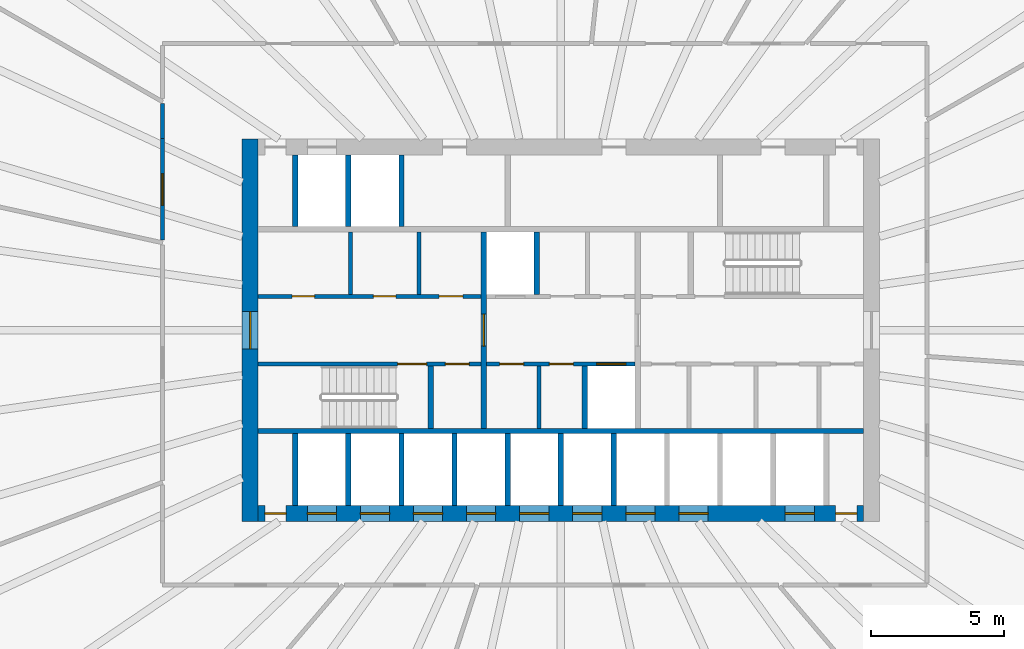
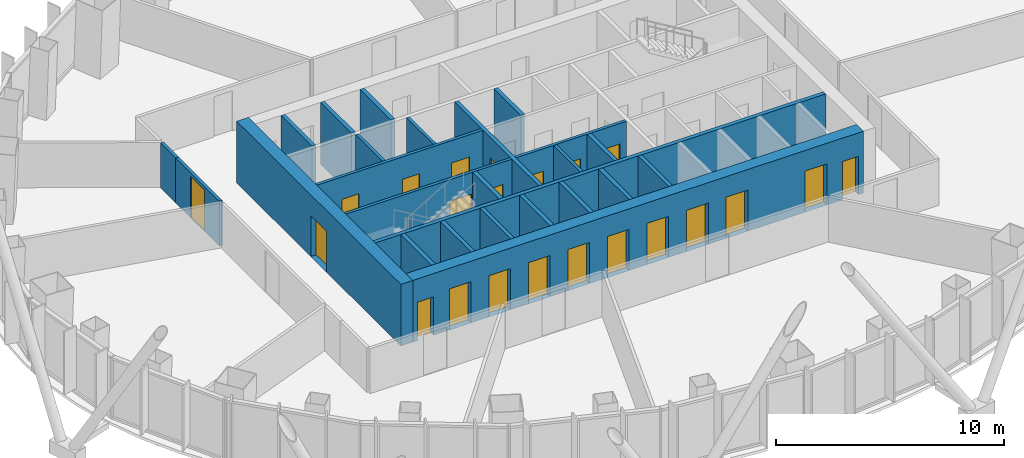
# One storey, part 8 of 18: 25 walls, 22 doors, 22 openings.
"""IFC4 building model written with IfcOpenShell, lengths in metres."""

from ifc_helpers import new_model, si_unit, direction, frame, frame_2d, origin, place, context, subcontext, project, spatial, rectangle, extrude, material, layer, layer_set, type_object, element, fill, save


model = new_model("IFC4")

# Units and contexts
model_context = context("Model", 3, precision=1e-05, world=origin(), true_north=direction((0.0, 1.0)))
body_context = subcontext(model_context, "Body", "Model", "MODEL_VIEW")
ifc_project = project(units=[si_unit("LENGTHUNIT", "METRE"), si_unit("AREAUNIT", "SQUARE_METRE"), si_unit("VOLUMEUNIT", "CUBIC_METRE"), si_unit("PLANEANGLEUNIT", "RADIAN"), si_unit("MASSUNIT", "GRAM", prefix="KILO")], contexts=[model_context])

# Site, building, storey
site_placement = place(None, origin())
site = spatial("IfcSite", under=ifc_project, at=site_placement, CompositionType="ELEMENT")
building_placement = place(site_placement, origin())
building = spatial("IfcBuilding", under=site, at=building_placement, Name="Siaravel Broadcast Tower", CompositionType="ELEMENT")
storey_placement = place(building_placement, frame((0.0, 0.0, 81.5)))
storey = spatial("IfcBuildingStorey", under=building, at=storey_placement, Name="L19", CompositionType="ELEMENT", Elevation=81.5)

# Walls
ifc_material_1 = material(Name="Concrete blockwork", Category="masonry")
ifc_layer_1 = layer(ifc_material_1, 0.14990234375)
ifc_layer_set_1 = layer_set([ifc_layer_1], Name="Concrete blockwork")
wall_type_1 = type_object("IfcWallType", Name="Core partition 150", PredefinedType="PARTITIONING", material=ifc_layer_set_1)
for number, where, z_axis, x_axis, name in (
    (1, (-7.923095703125, 1.35009765625, 0.0), (0.0, 0.0, 1.0), (0.0, 1.0, 0.0), "L19 core partition PNW0"),
    (2, (-5.343017578125, 1.35009765625, 0.0), (0.0, 0.0, 1.0), (0.0, 1.0, 0.0), "L19 core partition PNW1"),
    (3, (-0.827392578125, -3.699951171875, 0.0), (0.0, 0.0, 1.0), (0.0, 1.0, 0.0), "L19 core partition PSM0"),
):
    element("IfcWall", number, at=place(storey_placement, frame(where, z_axis=z_axis, x_axis=x_axis)), inside=storey, type_object=wall_type_1, Name=name, PredefinedType="PARTITIONING", context=body_context, shape_type="SweptSolid", body=[
        extrude(rectangle(XDim=2.349853515625, YDim=0.14990234375, at=frame_2d((1.1748046875, 0.0))), origin(), (0.0, 0.0, 1.0), 3.300048828125),
    ])

# Wall, opening, door
ifc_material_2 = material(Name="Concrete C60/75", Category="concrete")
ifc_layer_2 = layer(ifc_material_2, 0.60009765625)
ifc_layer_set_2 = layer_set([ifc_layer_2], Name="Concrete C60/75")
wall_type_2 = type_object("IfcWallType", Name="Core wall 600", PredefinedType="SHEAR", material=ifc_layer_set_2)
wall_1_placement = place(storey_placement, frame((-11.699951171875, -7.199951171875, 0.0), z_axis=(0.0, 0.0, 1.0), x_axis=(0.0, 1.0, 0.0)))
wall_1 = element("IfcWall", 4, at=wall_1_placement, inside=storey, type_object=wall_type_2, Name="L19 core wall OW", PredefinedType="SHEAR", context=body_context, shape_type="SweptSolid", body=[
    extrude(rectangle(XDim=14.39990234375, YDim=0.60009765625, at=frame_2d((7.199951171875, 0.0))), origin(), (0.0, 0.0, 1.0), 3.300048828125),
])
opening_1_placement = place(wall_1_placement, frame((6.5, 0.0, 0.0)))
opening_1 = element("IfcOpeningElement", 5, at=opening_1_placement, cuts=wall_1, Name="Opening L19-DX-W", PredefinedType="OPENING", context=body_context, shape_type="SweptSolid", body=[
    extrude(rectangle(XDim=1.39990234375, YDim=2.199951171875, at=frame_2d((0.699951171875, 1.10009765625))), frame((0.0, 0.31005859375, 0.0), z_axis=(0.0, -1.0, 0.0), x_axis=(1.0, 0.0, 0.0)), (0.0, 0.0, 1.0), 0.6201171875),
])
ifc_material_3 = material(Name="Steel", Category="steel")
door_type_1 = type_object("IfcDoorType", Name="Core exit door 1400", OperationType="DOUBLE_DOOR_SINGLE_SWING", PredefinedType="DOOR", material=ifc_material_3)
door_1_placement = place(opening_1_placement, origin())
door_1 = element("IfcDoor", 6, at=door_1_placement, inside=storey, type_object=door_type_1, Name="L19 door DX-W", OperationType="DOUBLE_DOOR_SINGLE_SWING", OverallHeight=2.199951171875, OverallWidth=1.39990234375, PredefinedType="DOOR", context=body_context, shape_type="SweptSolid", body=[
    extrude(rectangle(XDim=1.39990234375, YDim=2.199951171875, at=frame_2d((0.699951171875, 1.10009765625))), frame((0.0, 0.02490234375, 0.0), z_axis=(0.0, -1.0, 0.0), x_axis=(1.0, 0.0, 0.0)), (0.0, 0.0, 1.0), 0.050048828125),
])
fill(opening_1, door_1)

# Wall, openings, doors
wall_2_placement = place(storey_placement, frame((-11.39990234375, -6.89990234375, 0.0), z_axis=(0.0, 0.0, 1.0), x_axis=(1.0, 0.0, 0.0)))
wall_2 = element("IfcWall", 7, at=wall_2_placement, inside=storey, type_object=wall_type_2, Name="L19 core wall OS", PredefinedType="SHEAR", context=body_context, shape_type="SweptSolid", body=[
    extrude(rectangle(XDim=22.7998046875, YDim=0.60009765625, at=frame_2d((11.39990234375, 0.0))), origin(), (0.0, 0.0, 1.0), 3.300048828125),
])
opening_2_placement = place(wall_2_placement, frame((1.85009765625, 0.0, 0.0)))
opening_2 = element("IfcOpeningElement", 8, at=opening_2_placement, cuts=wall_2, Name="Opening LD-LP1-L19", PredefinedType="OPENING", context=body_context, shape_type="SweptSolid", body=[
    extrude(rectangle(XDim=1.10009765625, YDim=2.199951171875, at=frame_2d((0.550048828125, 1.10009765625))), frame((0.0, 0.31005859375, 0.0), z_axis=(0.0, -1.0, 0.0), x_axis=(1.0, 0.0, 0.0)), (0.0, 0.0, 1.0), 0.6201171875),
])
opening_3_placement = place(wall_2_placement, frame((3.85009765625, 0.0, 0.0)))
opening_3 = element("IfcOpeningElement", 9, at=opening_3_placement, cuts=wall_2, Name="Opening LD-LP2-L19", PredefinedType="OPENING", context=body_context, shape_type="SweptSolid", body=[
    extrude(rectangle(XDim=1.10009765625, YDim=2.199951171875, at=frame_2d((0.550048828125, 1.10009765625))), frame((0.0, 0.31005859375, 0.0), z_axis=(0.0, -1.0, 0.0), x_axis=(1.0, 0.0, 0.0)), (0.0, 0.0, 1.0), 0.6201171875),
])
opening_4_placement = place(wall_2_placement, frame((5.85009765625, 0.0, 0.0)))
opening_4 = element("IfcOpeningElement", 10, at=opening_4_placement, cuts=wall_2, Name="Opening LD-LP3-L19", PredefinedType="OPENING", context=body_context, shape_type="SweptSolid", body=[
    extrude(rectangle(XDim=1.10009765625, YDim=2.199951171875, at=frame_2d((0.550048828125, 1.10009765625))), frame((0.0, 0.31005859375, 0.0), z_axis=(0.0, -1.0, 0.0), x_axis=(1.0, 0.0, 0.0)), (0.0, 0.0, 1.0), 0.6201171875),
])
opening_5_placement = place(wall_2_placement, frame((7.85009765625, 0.0, 0.0)))
opening_5 = element("IfcOpeningElement", 11, at=opening_5_placement, cuts=wall_2, Name="Opening LD-LP4-L19", PredefinedType="OPENING", context=body_context, shape_type="SweptSolid", body=[
    extrude(rectangle(XDim=1.10009765625, YDim=2.199951171875, at=frame_2d((0.550048828125, 1.10009765625))), frame((0.0, 0.31005859375, 0.0), z_axis=(0.0, -1.0, 0.0), x_axis=(1.0, 0.0, 0.0)), (0.0, 0.0, 1.0), 0.6201171875),
])
opening_6_placement = place(wall_2_placement, frame((9.85009765625, 0.0, 0.0)))
opening_6 = element("IfcOpeningElement", 12, at=opening_6_placement, cuts=wall_2, Name="Opening LD-LP5-L19", PredefinedType="OPENING", context=body_context, shape_type="SweptSolid", body=[
    extrude(rectangle(XDim=1.10009765625, YDim=2.199951171875, at=frame_2d((0.550048828125, 1.10009765625))), frame((0.0, 0.31005859375, 0.0), z_axis=(0.0, -1.0, 0.0), x_axis=(1.0, 0.0, 0.0)), (0.0, 0.0, 1.0), 0.6201171875),
])
opening_7_placement = place(wall_2_placement, frame((11.85009765625, 0.0, 0.0)))
opening_7 = element("IfcOpeningElement", 13, at=opening_7_placement, cuts=wall_2, Name="Opening LD-LP6-L19", PredefinedType="OPENING", context=body_context, shape_type="SweptSolid", body=[
    extrude(rectangle(XDim=1.10009765625, YDim=2.199951171875, at=frame_2d((0.550048828125, 1.10009765625))), frame((0.0, 0.31005859375, 0.0), z_axis=(0.0, -1.0, 0.0), x_axis=(1.0, 0.0, 0.0)), (0.0, 0.0, 1.0), 0.6201171875),
])
opening_8_placement = place(wall_2_placement, frame((13.85009765625, 0.0, 0.0)))
opening_8 = element("IfcOpeningElement", 14, at=opening_8_placement, cuts=wall_2, Name="Opening LD-LP7-L19", PredefinedType="OPENING", context=body_context, shape_type="SweptSolid", body=[
    extrude(rectangle(XDim=1.10009765625, YDim=2.199951171875, at=frame_2d((0.550048828125, 1.10009765625))), frame((0.0, 0.31005859375, 0.0), z_axis=(0.0, -1.0, 0.0), x_axis=(1.0, 0.0, 0.0)), (0.0, 0.0, 1.0), 0.6201171875),
])
opening_9_placement = place(wall_2_placement, frame((15.85009765625, 0.0, 0.0)))
opening_9 = element("IfcOpeningElement", 15, at=opening_9_placement, cuts=wall_2, Name="Opening LD-LP8-L19", PredefinedType="OPENING", context=body_context, shape_type="SweptSolid", body=[
    extrude(rectangle(XDim=1.10009765625, YDim=2.199951171875, at=frame_2d((0.550048828125, 1.10009765625))), frame((0.0, 0.31005859375, 0.0), z_axis=(0.0, -1.0, 0.0), x_axis=(1.0, 0.0, 0.0)), (0.0, 0.0, 1.0), 0.6201171875),
])
opening_10_placement = place(wall_2_placement, frame((19.85009765625, 0.0, 0.0)))
opening_10 = element("IfcOpeningElement", 16, at=opening_10_placement, cuts=wall_2, Name="Opening LD-SV1-L19", PredefinedType="OPENING", context=body_context, shape_type="SweptSolid", body=[
    extrude(rectangle(XDim=1.10009765625, YDim=2.199951171875, at=frame_2d((0.550048828125, 1.10009765625))), frame((0.0, 0.31005859375, 0.0), z_axis=(0.0, -1.0, 0.0), x_axis=(1.0, 0.0, 0.0)), (0.0, 0.0, 1.0), 0.6201171875),
])
opening_11_placement = place(wall_2_placement, frame((0.25, 0.0, 0.0)))
opening_11 = element("IfcOpeningElement", 17, at=opening_11_placement, cuts=wall_2, Name="Opening L19-DRSW", PredefinedType="OPENING", context=body_context, shape_type="SweptSolid", body=[
    extrude(rectangle(XDim=0.800048828125, YDim=2.050048828125, at=frame_2d((0.39990234375, 1.02490234375))), frame((0.0, 0.31005859375, 0.0), z_axis=(0.0, -1.0, 0.0), x_axis=(1.0, 0.0, 0.0)), (0.0, 0.0, 1.0), 0.6201171875),
])
opening_12_placement = place(wall_2_placement, frame((21.75, 0.0, 0.0)))
opening_12 = element("IfcOpeningElement", 18, at=opening_12_placement, cuts=wall_2, Name="Opening L19-DRSE", PredefinedType="OPENING", context=body_context, shape_type="SweptSolid", body=[
    extrude(rectangle(XDim=0.800048828125, YDim=2.050048828125, at=frame_2d((0.39990234375, 1.02490234375))), frame((0.0, 0.31005859375, 0.0), z_axis=(0.0, -1.0, 0.0), x_axis=(1.0, 0.0, 0.0)), (0.0, 0.0, 1.0), 0.6201171875),
])
ifc_material_4 = material(Name="Stainless steel 316L", Category="steel")
door_type_2 = type_object("IfcDoorType", Name="Lift landing door 1100", OperationType="DOUBLE_DOOR_SLIDING", PredefinedType="DOOR", material=ifc_material_4)
door_2_placement = place(opening_2_placement, origin())
door_2 = element("IfcDoor", 19, at=door_2_placement, inside=storey, type_object=door_type_2, Name="Landing door LP1 L19", OperationType="DOUBLE_DOOR_SLIDING", OverallHeight=2.199951171875, OverallWidth=1.10009765625, PredefinedType="DOOR", context=body_context, shape_type="SweptSolid", body=[
    extrude(rectangle(XDim=1.10009765625, YDim=2.199951171875, at=frame_2d((0.550048828125, 1.10009765625))), frame((0.0, 0.02490234375, 0.0), z_axis=(0.0, -1.0, 0.0), x_axis=(1.0, 0.0, 0.0)), (0.0, 0.0, 1.0), 0.050048828125),
])
fill(opening_2, door_2)
door_3_placement = place(opening_3_placement, origin())
door_3 = element("IfcDoor", 20, at=door_3_placement, inside=storey, type_object=door_type_2, Name="Landing door LP2 L19", OperationType="DOUBLE_DOOR_SLIDING", OverallHeight=2.199951171875, OverallWidth=1.10009765625, PredefinedType="DOOR", context=body_context, shape_type="SweptSolid", body=[
    extrude(rectangle(XDim=1.10009765625, YDim=2.199951171875, at=frame_2d((0.550048828125, 1.10009765625))), frame((0.0, 0.02490234375, 0.0), z_axis=(0.0, -1.0, 0.0), x_axis=(1.0, 0.0, 0.0)), (0.0, 0.0, 1.0), 0.050048828125),
])
fill(opening_3, door_3)
door_4_placement = place(opening_4_placement, origin())
door_4 = element("IfcDoor", 21, at=door_4_placement, inside=storey, type_object=door_type_2, Name="Landing door LP3 L19", OperationType="DOUBLE_DOOR_SLIDING", OverallHeight=2.199951171875, OverallWidth=1.10009765625, PredefinedType="DOOR", context=body_context, shape_type="SweptSolid", body=[
    extrude(rectangle(XDim=1.10009765625, YDim=2.199951171875, at=frame_2d((0.550048828125, 1.10009765625))), frame((0.0, 0.02490234375, 0.0), z_axis=(0.0, -1.0, 0.0), x_axis=(1.0, 0.0, 0.0)), (0.0, 0.0, 1.0), 0.050048828125),
])
fill(opening_4, door_4)
door_5_placement = place(opening_5_placement, origin())
door_5 = element("IfcDoor", 22, at=door_5_placement, inside=storey, type_object=door_type_2, Name="Landing door LP4 L19", OperationType="DOUBLE_DOOR_SLIDING", OverallHeight=2.199951171875, OverallWidth=1.10009765625, PredefinedType="DOOR", context=body_context, shape_type="SweptSolid", body=[
    extrude(rectangle(XDim=1.10009765625, YDim=2.199951171875, at=frame_2d((0.550048828125, 1.10009765625))), frame((0.0, 0.02490234375, 0.0), z_axis=(0.0, -1.0, 0.0), x_axis=(1.0, 0.0, 0.0)), (0.0, 0.0, 1.0), 0.050048828125),
])
fill(opening_5, door_5)
door_6_placement = place(opening_6_placement, origin())
door_6 = element("IfcDoor", 23, at=door_6_placement, inside=storey, type_object=door_type_2, Name="Landing door LP5 L19", OperationType="DOUBLE_DOOR_SLIDING", OverallHeight=2.199951171875, OverallWidth=1.10009765625, PredefinedType="DOOR", context=body_context, shape_type="SweptSolid", body=[
    extrude(rectangle(XDim=1.10009765625, YDim=2.199951171875, at=frame_2d((0.550048828125, 1.10009765625))), frame((0.0, 0.02490234375, 0.0), z_axis=(0.0, -1.0, 0.0), x_axis=(1.0, 0.0, 0.0)), (0.0, 0.0, 1.0), 0.050048828125),
])
fill(opening_6, door_6)
door_7_placement = place(opening_7_placement, origin())
door_7 = element("IfcDoor", 24, at=door_7_placement, inside=storey, type_object=door_type_2, Name="Landing door LP6 L19", OperationType="DOUBLE_DOOR_SLIDING", OverallHeight=2.199951171875, OverallWidth=1.10009765625, PredefinedType="DOOR", context=body_context, shape_type="SweptSolid", body=[
    extrude(rectangle(XDim=1.10009765625, YDim=2.199951171875, at=frame_2d((0.550048828125, 1.10009765625))), frame((0.0, 0.02490234375, 0.0), z_axis=(0.0, -1.0, 0.0), x_axis=(1.0, 0.0, 0.0)), (0.0, 0.0, 1.0), 0.050048828125),
])
fill(opening_7, door_7)
door_8_placement = place(opening_8_placement, origin())
door_8 = element("IfcDoor", 25, at=door_8_placement, inside=storey, type_object=door_type_2, Name="Landing door LP7 L19", OperationType="DOUBLE_DOOR_SLIDING", OverallHeight=2.199951171875, OverallWidth=1.10009765625, PredefinedType="DOOR", context=body_context, shape_type="SweptSolid", body=[
    extrude(rectangle(XDim=1.10009765625, YDim=2.199951171875, at=frame_2d((0.550048828125, 1.10009765625))), frame((0.0, 0.02490234375, 0.0), z_axis=(0.0, -1.0, 0.0), x_axis=(1.0, 0.0, 0.0)), (0.0, 0.0, 1.0), 0.050048828125),
])
fill(opening_8, door_8)
door_9_placement = place(opening_9_placement, origin())
door_9 = element("IfcDoor", 26, at=door_9_placement, inside=storey, type_object=door_type_2, Name="Landing door LP8 L19", OperationType="DOUBLE_DOOR_SLIDING", OverallHeight=2.199951171875, OverallWidth=1.10009765625, PredefinedType="DOOR", context=body_context, shape_type="SweptSolid", body=[
    extrude(rectangle(XDim=1.10009765625, YDim=2.199951171875, at=frame_2d((0.550048828125, 1.10009765625))), frame((0.0, 0.02490234375, 0.0), z_axis=(0.0, -1.0, 0.0), x_axis=(1.0, 0.0, 0.0)), (0.0, 0.0, 1.0), 0.050048828125),
])
fill(opening_9, door_9)
door_type_3 = type_object("IfcDoorType", Name="Riser door 800", OperationType="SINGLE_SWING_LEFT", PredefinedType="DOOR", material=ifc_material_3)
door_10_placement = place(opening_11_placement, origin())
door_10 = element("IfcDoor", 27, at=door_10_placement, inside=storey, type_object=door_type_3, Name="L19 door DRSW", OperationType="SINGLE_SWING_LEFT", OverallHeight=2.050048828125, OverallWidth=0.800048828125, PredefinedType="DOOR", context=body_context, shape_type="SweptSolid", body=[
    extrude(rectangle(XDim=0.800048828125, YDim=2.050048828125, at=frame_2d((0.39990234375, 1.02490234375))), frame((0.0, 0.02490234375, 0.0), z_axis=(0.0, -1.0, 0.0), x_axis=(1.0, 0.0, 0.0)), (0.0, 0.0, 1.0), 0.050048828125),
])
fill(opening_11, door_10)
door_11_placement = place(opening_12_placement, origin())
door_11 = element("IfcDoor", 28, at=door_11_placement, inside=storey, type_object=door_type_3, Name="L19 door DRSE", OperationType="SINGLE_SWING_LEFT", OverallHeight=2.050048828125, OverallWidth=0.800048828125, PredefinedType="DOOR", context=body_context, shape_type="SweptSolid", body=[
    extrude(rectangle(XDim=0.800048828125, YDim=2.050048828125, at=frame_2d((0.39990234375, 1.02490234375))), frame((0.0, 0.02490234375, 0.0), z_axis=(0.0, -1.0, 0.0), x_axis=(1.0, 0.0, 0.0)), (0.0, 0.0, 1.0), 0.050048828125),
])
fill(opening_12, door_11)
door_type_4 = type_object("IfcDoorType", Name="Service lift landing door 1100", OperationType="DOUBLE_DOOR_SLIDING", PredefinedType="DOOR", material=ifc_material_4)
door_12_placement = place(opening_10_placement, origin())
door_12 = element("IfcDoor", 29, at=door_12_placement, inside=storey, type_object=door_type_4, Name="Landing door SV1 L19", OperationType="DOUBLE_DOOR_SLIDING", OverallHeight=2.199951171875, OverallWidth=1.10009765625, PredefinedType="DOOR", context=body_context, shape_type="SweptSolid", body=[
    extrude(rectangle(XDim=1.10009765625, YDim=2.199951171875, at=frame_2d((0.550048828125, 1.10009765625))), frame((0.0, 0.02490234375, 0.0), z_axis=(0.0, -1.0, 0.0), x_axis=(1.0, 0.0, 0.0)), (0.0, 0.0, 1.0), 0.050048828125),
])
fill(opening_10, door_12)

ifc_material_5 = material(Name="Gypsum board partition", Category="gypsum")
ifc_layer_3 = layer(ifc_material_5, 0.14990234375)
ifc_layer_set_3 = layer_set([ifc_layer_3], Name="Gypsum board partition")
wall_type_3 = type_object("IfcWallType", Name="Corridor wall 150", PredefinedType="PARTITIONING", material=ifc_layer_set_3)
wall_3_placement = place(storey_placement, frame((-11.39990234375, 1.27490234375, 0.0), z_axis=(0.0, 0.0, 1.0), x_axis=(1.0, 0.0, 0.0)))
wall_3 = element("IfcWall", 30, at=wall_3_placement, inside=storey, type_object=wall_type_3, Name="L19 core partition CNW", PredefinedType="PARTITIONING", context=body_context, shape_type="SweptSolid", body=[
    extrude(rectangle(XDim=8.39990234375, YDim=0.14990234375, at=frame_2d((4.199951171875, 0.0))), origin(), (0.0, 0.0, 1.0), 3.300048828125),
])
opening_13_placement = place(wall_3_placement, frame((1.27587890625, 0.0, 0.0)))
opening_13 = element("IfcOpeningElement", 31, at=opening_13_placement, cuts=wall_3, Name="Opening L19-DNW0", PredefinedType="OPENING", context=body_context, shape_type="SweptSolid", body=[
    extrude(rectangle(XDim=0.85009765625, YDim=2.10009765625, at=frame_2d((0.425048828125, 1.050048828125))), frame((0.0, 0.0849609375, 0.0), z_axis=(0.0, -1.0, 0.0), x_axis=(1.0, 0.0, 0.0)), (0.0, 0.0, 1.0), 0.169921875),
])
opening_14_placement = place(wall_3_placement, frame((4.342041015625, 0.0, 0.0)))
opening_14 = element("IfcOpeningElement", 32, at=opening_14_placement, cuts=wall_3, Name="Opening L19-DNW1", PredefinedType="OPENING", context=body_context, shape_type="SweptSolid", body=[
    extrude(rectangle(XDim=0.85009765625, YDim=2.10009765625, at=frame_2d((0.425048828125, 1.050048828125))), frame((0.0, 0.0849609375, 0.0), z_axis=(0.0, -1.0, 0.0), x_axis=(1.0, 0.0, 0.0)), (0.0, 0.0, 1.0), 0.169921875),
])
opening_15_placement = place(wall_3_placement, frame((6.81591796875, 0.0, 0.0)))
opening_15 = element("IfcOpeningElement", 33, at=opening_15_placement, cuts=wall_3, Name="Opening L19-DNW2", PredefinedType="OPENING", context=body_context, shape_type="SweptSolid", body=[
    extrude(rectangle(XDim=0.89990234375, YDim=2.10009765625, at=frame_2d((0.449951171875, 1.050048828125))), frame((0.0, 0.0849609375, 0.0), z_axis=(0.0, -1.0, 0.0), x_axis=(1.0, 0.0, 0.0)), (0.0, 0.0, 1.0), 0.169921875),
])
ifc_material_6 = material(Name="Timber veneer", Category="wood")
door_type_5 = type_object("IfcDoorType", Name="Core room door 900", OperationType="SINGLE_SWING_LEFT", PredefinedType="DOOR", material=ifc_material_6)
door_13_placement = place(opening_15_placement, origin())
door_13 = element("IfcDoor", 34, at=door_13_placement, inside=storey, type_object=door_type_5, Name="L19 door DNW2", OperationType="SINGLE_SWING_LEFT", OverallHeight=2.10009765625, OverallWidth=0.89990234375, PredefinedType="DOOR", context=body_context, shape_type="SweptSolid", body=[
    extrude(rectangle(XDim=0.89990234375, YDim=2.10009765625, at=frame_2d((0.449951171875, 1.050048828125))), frame((0.0, 0.02490234375, 0.0), z_axis=(0.0, -1.0, 0.0), x_axis=(1.0, 0.0, 0.0)), (0.0, 0.0, 1.0), 0.050048828125),
])
fill(opening_15, door_13)
door_type_6 = type_object("IfcDoorType", Name="Core toilet door 850", OperationType="SINGLE_SWING_LEFT", PredefinedType="DOOR", material=ifc_material_6)
door_14_placement = place(opening_13_placement, origin())
door_14 = element("IfcDoor", 35, at=door_14_placement, inside=storey, type_object=door_type_6, Name="L19 door DNW0", OperationType="SINGLE_SWING_LEFT", OverallHeight=2.10009765625, OverallWidth=0.85009765625, PredefinedType="DOOR", context=body_context, shape_type="SweptSolid", body=[
    extrude(rectangle(XDim=0.85009765625, YDim=2.10009765625, at=frame_2d((0.425048828125, 1.050048828125))), frame((0.0, 0.02490234375, 0.0), z_axis=(0.0, -1.0, 0.0), x_axis=(1.0, 0.0, 0.0)), (0.0, 0.0, 1.0), 0.050048828125),
])
fill(opening_13, door_14)
door_15_placement = place(opening_14_placement, origin())
door_15 = element("IfcDoor", 36, at=door_15_placement, inside=storey, type_object=door_type_6, Name="L19 door DNW1", OperationType="SINGLE_SWING_LEFT", OverallHeight=2.10009765625, OverallWidth=0.85009765625, PredefinedType="DOOR", context=body_context, shape_type="SweptSolid", body=[
    extrude(rectangle(XDim=0.85009765625, YDim=2.10009765625, at=frame_2d((0.425048828125, 1.050048828125))), frame((0.0, 0.02490234375, 0.0), z_axis=(0.0, -1.0, 0.0), x_axis=(1.0, 0.0, 0.0)), (0.0, 0.0, 1.0), 0.050048828125),
])
fill(opening_14, door_15)

# Wall, opening, door
wall_4_placement = place(storey_placement, frame((-15.0, 7.2119140625, 0.0), z_axis=(0.0, 0.0, 1.0), x_axis=(0.0, -1.0, 0.0)))
wall_4 = element("IfcWall", 37, at=wall_4_placement, inside=storey, type_object=wall_type_3, Name="L19 partition 24", PredefinedType="PARTITIONING", context=body_context, shape_type="SweptSolid", body=[
    extrude(rectangle(XDim=3.824462890625, YDim=0.14990234375, at=frame_2d((1.912109375, 0.0))), origin(), (0.0, 0.0, 1.0), 2.39990234375),
])
opening_16_placement = place(wall_4_placement, frame((1.312255859375, 0.0, 0.0)))
opening_16 = element("IfcOpeningElement", 38, at=opening_16_placement, cuts=wall_4, Name="Opening L19-004", PredefinedType="OPENING", context=body_context, shape_type="SweptSolid", body=[
    extrude(rectangle(XDim=1.199951171875, YDim=2.199951171875, at=frame_2d((0.60009765625, 1.10009765625))), frame((0.0, 0.0849609375, 0.0), z_axis=(0.0, -1.0, 0.0), x_axis=(1.0, 0.0, 0.0)), (0.0, 0.0, 1.0), 0.169921875),
])
door_type_7 = type_object("IfcDoorType", Name="Office double door 1200", OperationType="DOUBLE_DOOR_SINGLE_SWING", PredefinedType="DOOR", material=ifc_material_6)
door_16_placement = place(opening_16_placement, origin())
door_16 = element("IfcDoor", 39, at=door_16_placement, inside=storey, type_object=door_type_7, Name="L19 door to Newsroom desk office", OperationType="DOUBLE_DOOR_SINGLE_SWING", OverallHeight=2.199951171875, OverallWidth=1.199951171875, PredefinedType="DOOR", context=body_context, shape_type="SweptSolid", body=[
    extrude(rectangle(XDim=1.199951171875, YDim=2.199951171875, at=frame_2d((0.60009765625, 1.10009765625))), frame((0.0, 0.02490234375, 0.0), z_axis=(0.0, -1.0, 0.0), x_axis=(1.0, 0.0, 0.0)), (0.0, 0.0, 1.0), 0.050048828125),
])
fill(opening_16, door_16)

# Wall
wall_5_placement = place(storey_placement, frame((-15.0, 8.5361328125, 0.0), z_axis=(0.0, 0.0, 1.0), x_axis=(0.0, -1.0, 0.0)))
element("IfcWall", 40, at=wall_5_placement, inside=storey, type_object=wall_type_3, Name="L19 partition 31", PredefinedType="PARTITIONING", context=body_context, shape_type="SweptSolid", body=[
    extrude(rectangle(XDim=1.3232421875, YDim=0.14990234375, at=frame_2d((0.66162109375, 0.0))), origin(), (0.0, 0.0, 1.0), 2.39990234375),
])

# Wall, openings, doors
ifc_layer_4 = layer(ifc_material_2, 0.14990234375)
ifc_layer_set_4 = layer_set([ifc_layer_4], Name="Concrete C60/75")
wall_type_4 = type_object("IfcWallType", Name="Shaft wall 150", PredefinedType="SHEAR", material=ifc_layer_set_4)
wall_6_placement = place(storey_placement, frame((-11.39990234375, -1.27490234375, 0.0), z_axis=(0.0, 0.0, 1.0), x_axis=(1.0, 0.0, 0.0)))
wall_6 = element("IfcWall", 41, at=wall_6_placement, inside=storey, type_object=wall_type_4, Name="L19 core wall CSW", PredefinedType="SHEAR", context=body_context, shape_type="SweptSolid", body=[
    extrude(rectangle(XDim=8.39990234375, YDim=0.14990234375, at=frame_2d((4.199951171875, 0.0))), origin(), (0.0, 0.0, 1.0), 3.300048828125),
])
opening_17_placement = place(wall_6_placement, frame((5.25, 0.0, 0.0)))
opening_17 = element("IfcOpeningElement", 42, at=opening_17_placement, cuts=wall_6, Name="Opening L19-DS-1", PredefinedType="OPENING", context=body_context, shape_type="SweptSolid", body=[
    extrude(rectangle(XDim=1.10009765625, YDim=2.14990234375, at=frame_2d((0.550048828125, 1.074951171875))), frame((0.0, 0.0849609375, 0.0), z_axis=(0.0, -1.0, 0.0), x_axis=(1.0, 0.0, 0.0)), (0.0, 0.0, 1.0), 0.169921875),
])
opening_18_placement = place(wall_6_placement, frame((7.050048828125, 0.0, 0.0)))
opening_18 = element("IfcOpeningElement", 43, at=opening_18_placement, cuts=wall_6, Name="Opening L19-DSW0", PredefinedType="OPENING", context=body_context, shape_type="SweptSolid", body=[
    extrude(rectangle(XDim=0.89990234375, YDim=2.10009765625, at=frame_2d((0.449951171875, 1.050048828125))), frame((0.0, 0.0849609375, 0.0), z_axis=(0.0, -1.0, 0.0), x_axis=(1.0, 0.0, 0.0)), (0.0, 0.0, 1.0), 0.169921875),
])
door_17_placement = place(opening_18_placement, origin())
door_17 = element("IfcDoor", 44, at=door_17_placement, inside=storey, type_object=door_type_5, Name="L19 door DSW0", OperationType="SINGLE_SWING_LEFT", OverallHeight=2.10009765625, OverallWidth=0.89990234375, PredefinedType="DOOR", context=body_context, shape_type="SweptSolid", body=[
    extrude(rectangle(XDim=0.89990234375, YDim=2.10009765625, at=frame_2d((0.449951171875, 1.050048828125))), frame((0.0, 0.02490234375, 0.0), z_axis=(0.0, -1.0, 0.0), x_axis=(1.0, 0.0, 0.0)), (0.0, 0.0, 1.0), 0.050048828125),
])
fill(opening_18, door_17)
door_type_8 = type_object("IfcDoorType", Name="Stair door 1100", OperationType="SINGLE_SWING_LEFT", PredefinedType="DOOR", material=ifc_material_3)
door_18_placement = place(opening_17_placement, origin())
door_18 = element("IfcDoor", 45, at=door_18_placement, inside=storey, type_object=door_type_8, Name="L19 door DS-1", OperationType="SINGLE_SWING_LEFT", OverallHeight=2.14990234375, OverallWidth=1.10009765625, PredefinedType="DOOR", context=body_context, shape_type="SweptSolid", body=[
    extrude(rectangle(XDim=1.10009765625, YDim=2.14990234375, at=frame_2d((0.550048828125, 1.074951171875))), frame((0.0, 0.02490234375, 0.0), z_axis=(0.0, -1.0, 0.0), x_axis=(1.0, 0.0, 0.0)), (0.0, 0.0, 1.0), 0.050048828125),
])
fill(opening_17, door_18)

wall_7_placement = place(storey_placement, frame((-2.800048828125, -1.27490234375, 0.0), z_axis=(0.0, 0.0, 1.0), x_axis=(1.0, 0.0, 0.0)))
wall_7 = element("IfcWall", 46, at=wall_7_placement, inside=storey, type_object=wall_type_4, Name="L19 core wall CSM", PredefinedType="SHEAR", context=body_context, shape_type="SweptSolid", body=[
    extrude(rectangle(XDim=5.60009765625, YDim=0.14990234375, at=frame_2d((2.800048828125, 0.0))), origin(), (0.0, 0.0, 1.0), 3.300048828125),
])
opening_19_placement = place(wall_7_placement, frame((4.14990234375, 0.0, 0.0)))
opening_19 = element("IfcOpeningElement", 47, at=opening_19_placement, cuts=wall_7, Name="Opening LD-FL2-L19", PredefinedType="OPENING", context=body_context, shape_type="SweptSolid", body=[
    extrude(rectangle(XDim=1.10009765625, YDim=2.199951171875, at=frame_2d((0.550048828125, 1.10009765625))), frame((0.0, 0.0849609375, 0.0), z_axis=(0.0, -1.0, 0.0), x_axis=(1.0, 0.0, 0.0)), (0.0, 0.0, 1.0), 0.169921875),
])
opening_20_placement = place(wall_7_placement, frame((0.498779296875, 0.0, 0.0)))
opening_20 = element("IfcOpeningElement", 48, at=opening_20_placement, cuts=wall_7, Name="Opening L19-DSM0", PredefinedType="OPENING", context=body_context, shape_type="SweptSolid", body=[
    extrude(rectangle(XDim=0.89990234375, YDim=2.10009765625, at=frame_2d((0.449951171875, 1.050048828125))), frame((0.0, 0.0849609375, 0.0), z_axis=(0.0, -1.0, 0.0), x_axis=(1.0, 0.0, 0.0)), (0.0, 0.0, 1.0), 0.169921875),
])
opening_21_placement = place(wall_7_placement, frame((2.373779296875, 0.0, 0.0)))
opening_21 = element("IfcOpeningElement", 49, at=opening_21_placement, cuts=wall_7, Name="Opening L19-DSM1", PredefinedType="OPENING", context=body_context, shape_type="SweptSolid", body=[
    extrude(rectangle(XDim=0.89990234375, YDim=2.10009765625, at=frame_2d((0.449951171875, 1.050048828125))), frame((0.0, 0.0849609375, 0.0), z_axis=(0.0, -1.0, 0.0), x_axis=(1.0, 0.0, 0.0)), (0.0, 0.0, 1.0), 0.169921875),
])
door_19_placement = place(opening_20_placement, origin())
door_19 = element("IfcDoor", 50, at=door_19_placement, inside=storey, type_object=door_type_5, Name="L19 door DSM0", OperationType="SINGLE_SWING_LEFT", OverallHeight=2.10009765625, OverallWidth=0.89990234375, PredefinedType="DOOR", context=body_context, shape_type="SweptSolid", body=[
    extrude(rectangle(XDim=0.89990234375, YDim=2.10009765625, at=frame_2d((0.449951171875, 1.050048828125))), frame((0.0, 0.02490234375, 0.0), z_axis=(0.0, -1.0, 0.0), x_axis=(1.0, 0.0, 0.0)), (0.0, 0.0, 1.0), 0.050048828125),
])
fill(opening_20, door_19)
door_20_placement = place(opening_21_placement, origin())
door_20 = element("IfcDoor", 51, at=door_20_placement, inside=storey, type_object=door_type_5, Name="L19 door DSM1", OperationType="SINGLE_SWING_LEFT", OverallHeight=2.10009765625, OverallWidth=0.89990234375, PredefinedType="DOOR", context=body_context, shape_type="SweptSolid", body=[
    extrude(rectangle(XDim=0.89990234375, YDim=2.10009765625, at=frame_2d((0.449951171875, 1.050048828125))), frame((0.0, 0.02490234375, 0.0), z_axis=(0.0, -1.0, 0.0), x_axis=(1.0, 0.0, 0.0)), (0.0, 0.0, 1.0), 0.050048828125),
])
fill(opening_21, door_20)
door_type_9 = type_object("IfcDoorType", Name="Firefighting lift landing door 1100", OperationType="DOUBLE_DOOR_SLIDING", PredefinedType="DOOR", material=ifc_material_4)
door_21_placement = place(opening_19_placement, origin())
door_21 = element("IfcDoor", 52, at=door_21_placement, inside=storey, type_object=door_type_9, Name="Landing door FL2 L19", OperationType="DOUBLE_DOOR_SLIDING", OverallHeight=2.199951171875, OverallWidth=1.10009765625, PredefinedType="DOOR", context=body_context, shape_type="SweptSolid", body=[
    extrude(rectangle(XDim=1.10009765625, YDim=2.199951171875, at=frame_2d((0.550048828125, 1.10009765625))), frame((0.0, 0.02490234375, 0.0), z_axis=(0.0, -1.0, 0.0), x_axis=(1.0, 0.0, 0.0)), (0.0, 0.0, 1.0), 0.050048828125),
])
fill(opening_19, door_21)

# Walls
ifc_layer_5 = layer(ifc_material_2, 0.199951171875)
ifc_layer_set_5 = layer_set([ifc_layer_5], Name="Concrete C60/75")
wall_type_5 = type_object("IfcWallType", Name="Shaft wall 200", PredefinedType="SHEAR", material=ifc_layer_set_5)
wall_8_placement = place(storey_placement, frame((-11.39990234375, -3.800048828125, 0.0), z_axis=(0.0, 0.0, 1.0), x_axis=(1.0, 0.0, 0.0)))
element("IfcWall", 53, at=wall_8_placement, inside=storey, type_object=wall_type_5, Name="L19 core wall BS", PredefinedType="SHEAR", context=body_context, shape_type="SweptSolid", body=[
    extrude(rectangle(XDim=22.7998046875, YDim=0.199951171875, at=frame_2d((11.39990234375, 0.0))), origin(), (0.0, 0.0, 1.0), 3.300048828125),
])
for number, where, z_axis, x_axis, name in (
    (54, (-10.0, -6.60009765625, 0.0), (0.0, 0.0, 1.0), (0.0, 1.0, 0.0), "L19 core wall SWS0"),
    (55, (-8.0, -6.60009765625, 0.0), (0.0, 0.0, 1.0), (0.0, 1.0, 0.0), "L19 core wall SWS1"),
    (56, (-6.0, -6.60009765625, 0.0), (0.0, 0.0, 1.0), (0.0, 1.0, 0.0), "L19 core wall SWS2"),
    (57, (-4.0, -6.60009765625, 0.0), (0.0, 0.0, 1.0), (0.0, 1.0, 0.0), "L19 core wall SWS3"),
    (58, (-2.0, -6.60009765625, 0.0), (0.0, 0.0, 1.0), (0.0, 1.0, 0.0), "L19 core wall SWS4"),
    (59, (0.0, -6.60009765625, 0.0), (0.0, 0.0, 1.0), (0.0, 1.0, 0.0), "L19 core wall SWS5"),
    (60, (2.0, -6.60009765625, 0.0), (0.0, 0.0, 1.0), (0.0, 1.0, 0.0), "L19 core wall SWS6"),
    (61, (-10.0, 3.89990234375, 0.0), (0.0, 0.0, 1.0), (0.0, 1.0, 0.0), "L19 core wall SWN0"),
    (62, (-8.0, 3.89990234375, 0.0), (0.0, 0.0, 1.0), (0.0, 1.0, 0.0), "L19 core wall SWN1"),
    (63, (-6.0, 3.89990234375, 0.0), (0.0, 0.0, 1.0), (0.0, 1.0, 0.0), "L19 core wall SWN2"),
):
    element("IfcWall", number, at=place(storey_placement, frame(where, z_axis=z_axis, x_axis=x_axis)), inside=storey, type_object=wall_type_5, Name=name, PredefinedType="SHEAR", context=body_context, shape_type="SweptSolid", body=[
        extrude(rectangle(XDim=2.7001953125, YDim=0.199951171875, at=frame_2d((1.35009765625, 0.0))), origin(), (0.0, 0.0, 1.0), 3.300048828125),
    ])

# Wall, opening, door
wall_9_placement = place(storey_placement, frame((-2.89990234375, -3.699951171875, 0.0), z_axis=(0.0, 0.0, 1.0), x_axis=(0.0, 1.0, 0.0)))
wall_9 = element("IfcWall", 64, at=wall_9_placement, inside=storey, type_object=wall_type_5, Name="L19 core wall LW", PredefinedType="SHEAR", context=body_context, shape_type="SweptSolid", body=[
    extrude(rectangle(XDim=7.39990234375, YDim=0.199951171875, at=frame_2d((3.699951171875, 0.0))), origin(), (0.0, 0.0, 1.0), 3.300048828125),
])
opening_22_placement = place(wall_9_placement, frame((3.10009765625, 0.0, 0.0)))
opening_22 = element("IfcOpeningElement", 65, at=opening_22_placement, cuts=wall_9, Name="Opening L19-DL-W", PredefinedType="OPENING", context=body_context, shape_type="SweptSolid", body=[
    extrude(rectangle(XDim=1.199951171875, YDim=2.199951171875, at=frame_2d((0.60009765625, 1.10009765625))), frame((0.0, 0.10986328125, 0.0), z_axis=(0.0, -1.0, 0.0), x_axis=(1.0, 0.0, 0.0)), (0.0, 0.0, 1.0), 0.219970703125),
])
door_type_10 = type_object("IfcDoorType", Name="Firefighting lobby door 1200", OperationType="SINGLE_SWING_LEFT", PredefinedType="DOOR", material=ifc_material_3)
door_22_placement = place(opening_22_placement, origin())
door_22 = element("IfcDoor", 66, at=door_22_placement, inside=storey, type_object=door_type_10, Name="L19 door DL-W", OperationType="SINGLE_SWING_LEFT", OverallHeight=2.199951171875, OverallWidth=1.199951171875, PredefinedType="DOOR", context=body_context, shape_type="SweptSolid", body=[
    extrude(rectangle(XDim=1.199951171875, YDim=2.199951171875, at=frame_2d((0.60009765625, 1.10009765625))), frame((0.0, 0.02490234375, 0.0), z_axis=(0.0, -1.0, 0.0), x_axis=(1.0, 0.0, 0.0)), (0.0, 0.0, 1.0), 0.050048828125),
])
fill(opening_22, door_22)

# Walls
for number, where, z_axis, x_axis, name in (
    (67, (-0.89990234375, 1.35009765625, 0.0), (0.0, 0.0, 1.0), (0.0, 1.0, 0.0), "L19 core wall FF1E"),
    (68, (0.89990234375, -3.699951171875, 0.0), (0.0, 0.0, 1.0), (0.0, 1.0, 0.0), "L19 core wall FF2W"),
    (69, (-4.89990234375, -3.699951171875, 0.0), (0.0, 0.0, 1.0), (0.0, 1.0, 0.0), "L19 core wall ST1E"),
):
    element("IfcWall", number, at=place(storey_placement, frame(where, z_axis=z_axis, x_axis=x_axis)), inside=storey, type_object=wall_type_5, Name=name, PredefinedType="SHEAR", context=body_context, shape_type="SweptSolid", body=[
        extrude(rectangle(XDim=2.349853515625, YDim=0.199951171875, at=frame_2d((1.1748046875, 0.0))), origin(), (0.0, 0.0, 1.0), 3.300048828125),
    ])

save(model, "model.ifc")
